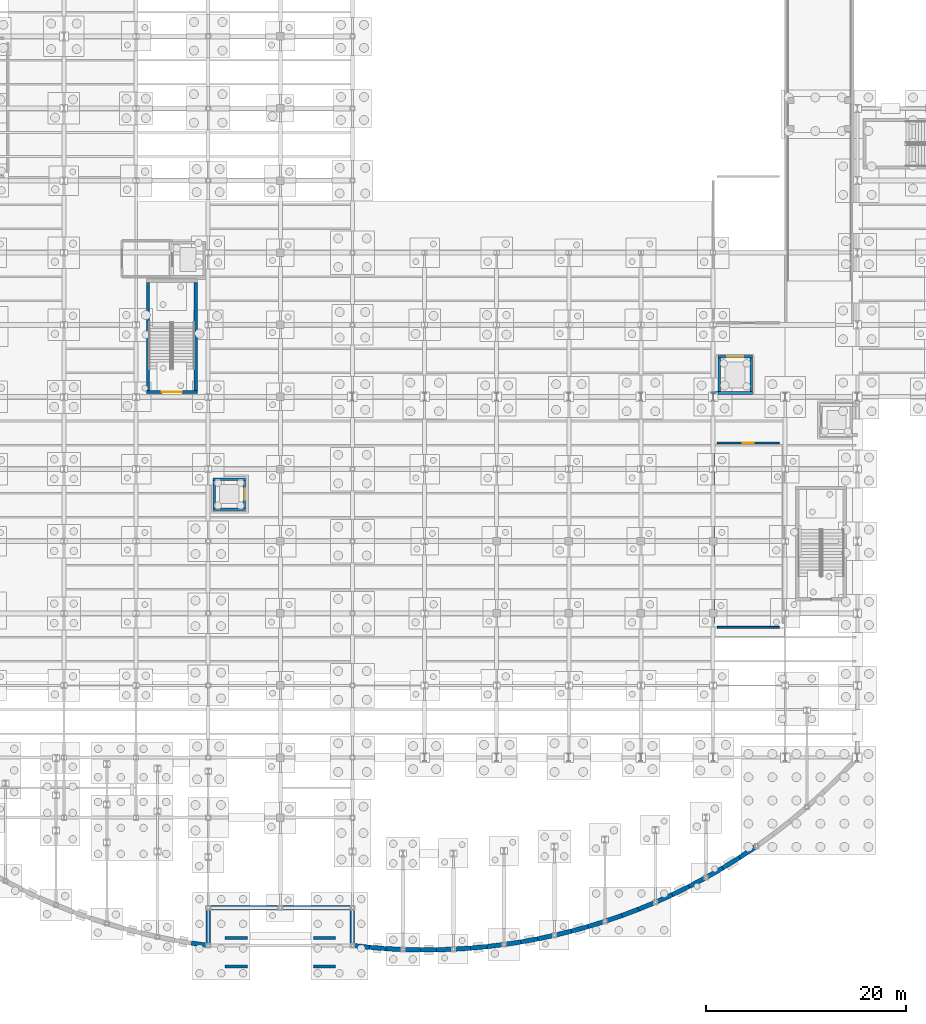
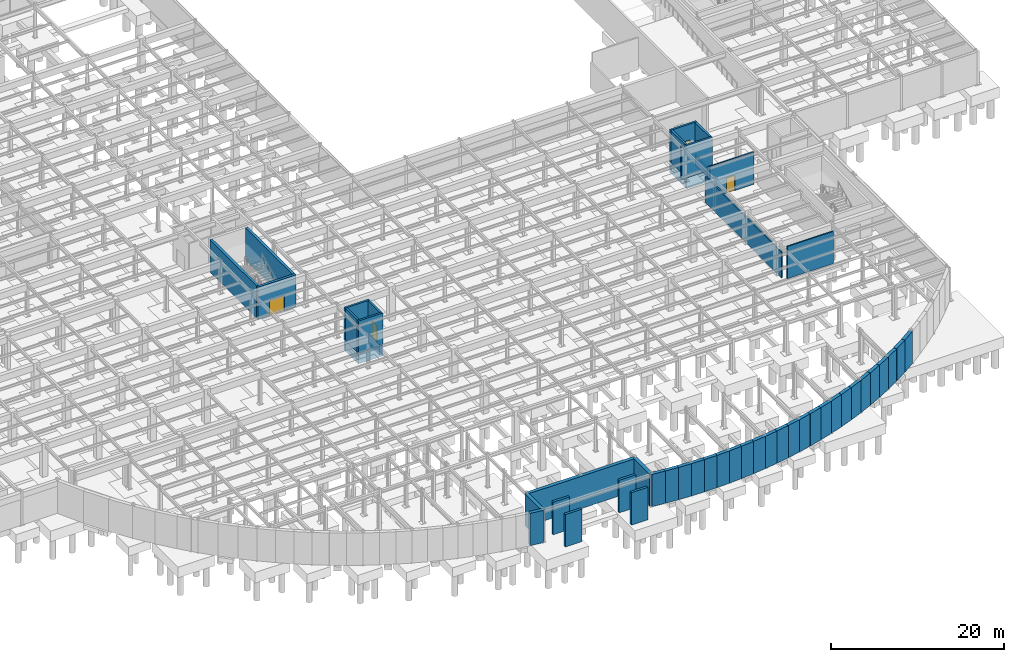
# One storey, part 46 of 64: 54 walls, 4 doors, 4 openings.
"""IFC4 building model written with IfcOpenShell, lengths in metres."""

from ifc_helpers import new_model, si_unit, direction, frame, frame_2d, origin, place, context, subcontext, project, spatial, rectangle, extrude, material, layer, layer_set, type_object, element, fill, save


model = new_model("IFC4")

# Units and contexts
model_context = context("Model", 3, precision=1e-05, world=origin(), true_north=direction((0.0, 1.0)))
body_context = subcontext(model_context, "Body", "Model", "MODEL_VIEW")
ifc_project = project(units=[si_unit("LENGTHUNIT", "METRE"), si_unit("AREAUNIT", "SQUARE_METRE"), si_unit("VOLUMEUNIT", "CUBIC_METRE"), si_unit("PLANEANGLEUNIT", "RADIAN"), si_unit("MASSUNIT", "GRAM", prefix="KILO")], contexts=[model_context])

# Site, building, storey
site_placement = place(None, origin())
site = spatial("IfcSite", under=ifc_project, at=site_placement, CompositionType="ELEMENT")
building_placement = place(site_placement, origin())
building = spatial("IfcBuilding", under=site, at=building_placement, Name="Solvadek Multi-Sports Hall", CompositionType="ELEMENT")
storey_placement = place(building_placement, frame((0.0, 0.0, -4.800048828125)))
storey = spatial("IfcBuildingStorey", under=building, at=storey_placement, Name="B1", CompositionType="ELEMENT", Elevation=-4.800048828125)

# Walls
ifc_material_1 = material(Name="Concrete M40", Category="concrete")
ifc_layer_1 = layer(ifc_material_1, 0.449951171875, Name="Concrete M40")
ifc_layer_set_1 = layer_set([ifc_layer_1], Name="Concrete M40")
wall_type_1 = type_object("IfcWallType", Name="ENV-WAL-RET450", PredefinedType="USERDEFINED", material=ifc_layer_set_1)
wall_1_placement = place(storey_placement, frame((70.31298828125, -12.517578125, 0.0), z_axis=(0.0, 0.0, 1.0), x_axis=(0.990408544796, -0.138169875135, 0.0)))
element("IfcWall", 1, at=wall_1_placement, inside=storey, type_object=wall_type_1, Name="B1 Basement Retaining Wall #28", ObjectType="RETAININGWALL", PredefinedType="USERDEFINED", context=body_context, shape_type="SweptSolid", body=[
    extrude(rectangle(XDim=1.703369140625, YDim=0.449951171875, at=frame_2d((0.8515625, 0.0))), origin(), (0.0, 0.0, 1.0), 4.550048828125),
])
wall_2_placement = place(storey_placement, frame((72.0, -12.7529296875, 0.0), z_axis=(0.0, 0.0, 1.0), x_axis=(0.0, 1.0, 0.0)))
element("IfcWall", 2, at=wall_2_placement, inside=storey, type_object=wall_type_1, Name="B1 Basement Retaining Wall #29", ObjectType="RETAININGWALL", PredefinedType="USERDEFINED", context=body_context, shape_type="SweptSolid", body=[
    extrude(rectangle(XDim=3.7529296875, YDim=0.449951171875, at=frame_2d((1.87646484375, 0.0))), origin(), (0.0, 0.0, 1.0), 4.550048828125),
])
wall_3_placement = place(storey_placement, frame((72.0, -9.0, 0.0), z_axis=(0.0, 0.0, 1.0), x_axis=(1.0, 0.0, 0.0)))
element("IfcWall", 3, at=wall_3_placement, inside=storey, type_object=wall_type_1, Name="B1 Basement Retaining Wall #30", ObjectType="RETAININGWALL", PredefinedType="USERDEFINED", context=body_context, shape_type="SweptSolid", body=[
    extrude(rectangle(XDim=14.39990234375, YDim=0.449951171875, at=frame_2d((7.199951171875, 0.0))), origin(), (0.0, 0.0, 1.0), 4.550048828125),
])
wall_4_placement = place(storey_placement, frame((86.39990234375, -9.0, 0.0), z_axis=(0.0, 0.0, 1.0), x_axis=(0.0, -1.0, 0.0)))
element("IfcWall", 4, at=wall_4_placement, inside=storey, type_object=wall_type_1, Name="B1 Basement Retaining Wall #31", ObjectType="RETAININGWALL", PredefinedType="USERDEFINED", context=body_context, shape_type="SweptSolid", body=[
    extrude(rectangle(XDim=3.7529296875, YDim=0.449951171875, at=frame_2d((1.87646484375, 0.0))), origin(), (0.0, 0.0, 1.0), 4.550048828125),
])
wall_5_placement = place(storey_placement, frame((86.39990234375, -12.7529296875, 0.0), z_axis=(0.0, 0.0, 1.0), x_axis=(0.994020357441, -0.109194912849, 0.0)))
element("IfcWall", 5, at=wall_5_placement, inside=storey, type_object=wall_type_1, Name="B1 Basement Retaining Wall #32", ObjectType="RETAININGWALL", PredefinedType="USERDEFINED", context=body_context, shape_type="SweptSolid", body=[
    extrude(rectangle(XDim=1.690185546875, YDim=0.449951171875, at=frame_2d((0.84521484375, 0.0))), origin(), (0.0, 0.0, 1.0), 4.550048828125),
])
wall_6_placement = place(storey_placement, frame((88.080078125, -12.9375, 0.0), z_axis=(0.0, 0.0, 1.0), x_axis=(0.996751400457, -0.080539714962, 0.0)))
element("IfcWall", 6, at=wall_6_placement, inside=storey, type_object=wall_type_1, Name="B1 Basement Retaining Wall #33", ObjectType="RETAININGWALL", PredefinedType="USERDEFINED", context=body_context, shape_type="SweptSolid", body=[
    extrude(rectangle(XDim=1.685302734375, YDim=0.449951171875, at=frame_2d((0.8427734375, 0.0))), origin(), (0.0, 0.0, 1.0), 4.550048828125),
])
wall_7_placement = place(storey_placement, frame((89.760009765625, -13.0732421875, 0.0), z_axis=(0.0, 0.0, 1.0), x_axis=(0.998671817694, -0.051522815765, 0.0)))
element("IfcWall", 7, at=wall_7_placement, inside=storey, type_object=wall_type_1, Name="B1 Basement Retaining Wall #34", ObjectType="RETAININGWALL", PredefinedType="USERDEFINED", context=body_context, shape_type="SweptSolid", body=[
    extrude(rectangle(XDim=1.68212890625, YDim=0.449951171875, at=frame_2d((0.841064453125, 0.0))), origin(), (0.0, 0.0, 1.0), 4.550048828125),
])
wall_8_placement = place(storey_placement, frame((91.43994140625, -13.159912109375, 0.0), z_axis=(0.0, 0.0, 1.0), x_axis=(0.999743183727, -0.022662007652, 0.0)))
element("IfcWall", 8, at=wall_8_placement, inside=storey, type_object=wall_type_1, Name="B1 Basement Retaining Wall #35", ObjectType="RETAININGWALL", PredefinedType="USERDEFINED", context=body_context, shape_type="SweptSolid", body=[
    extrude(rectangle(XDim=1.6806640625, YDim=0.449951171875, at=frame_2d((0.84033203125, 0.0))), origin(), (0.0, 0.0, 1.0), 4.550048828125),
])
wall_9_placement = place(storey_placement, frame((93.1201171875, -13.197998046875, 0.0), z_axis=(0.0, 0.0, 1.0), x_axis=(0.999980474998, 0.006248969688, 0.0)))
element("IfcWall", 9, at=wall_9_placement, inside=storey, type_object=wall_type_1, Name="B1 Basement Retaining Wall #36", ObjectType="RETAININGWALL", PredefinedType="USERDEFINED", context=body_context, shape_type="SweptSolid", body=[
    extrude(rectangle(XDim=1.679931640625, YDim=0.449951171875, at=frame_2d((0.83984375, 0.0))), origin(), (0.0, 0.0, 1.0), 4.550048828125),
])
wall_10_placement = place(storey_placement, frame((94.800048828125, -13.1875, 0.0), z_axis=(0.0, 0.0, 1.0), x_axis=(0.999387224147, 0.035002517224, 0.0)))
element("IfcWall", 10, at=wall_10_placement, inside=storey, type_object=wall_type_1, Name="B1 Basement Retaining Wall #37", ObjectType="RETAININGWALL", PredefinedType="USERDEFINED", context=body_context, shape_type="SweptSolid", body=[
    extrude(rectangle(XDim=1.680908203125, YDim=0.449951171875, at=frame_2d((0.84033203125, 0.0))), origin(), (0.0, 0.0, 1.0), 4.550048828125),
])
wall_11_placement = place(storey_placement, frame((96.47998046875, -13.128662109375, 0.0), z_axis=(0.0, 0.0, 1.0), x_axis=(0.997952571746, 0.063958303174, 0.0)))
element("IfcWall", 11, at=wall_11_placement, inside=storey, type_object=wall_type_1, Name="B1 Basement Retaining Wall #38", ObjectType="RETAININGWALL", PredefinedType="USERDEFINED", context=body_context, shape_type="SweptSolid", body=[
    extrude(rectangle(XDim=1.683349609375, YDim=0.449951171875, at=frame_2d((0.841796875, 0.0))), origin(), (0.0, 0.0, 1.0), 4.550048828125),
])
wall_12_placement = place(storey_placement, frame((98.159912109375, -13.02099609375, 0.0), z_axis=(0.0, 0.0, 1.0), x_axis=(0.995690348422, 0.09274012109, 0.0)))
element("IfcWall", 12, at=wall_12_placement, inside=storey, type_object=wall_type_1, Name="B1 Basement Retaining Wall #39", ObjectType="RETAININGWALL", PredefinedType="USERDEFINED", context=body_context, shape_type="SweptSolid", body=[
    extrude(rectangle(XDim=1.6875, YDim=0.449951171875, at=frame_2d((0.84375, 0.0))), origin(), (0.0, 0.0, 1.0), 4.550048828125),
])
wall_13_placement = place(storey_placement, frame((99.840087890625, -12.864501953125, 0.0), z_axis=(0.0, 0.0, 1.0), x_axis=(0.992578928721, 0.121602098083, 0.0)))
element("IfcWall", 13, at=wall_13_placement, inside=storey, type_object=wall_type_1, Name="B1 Basement Retaining Wall #40", ObjectType="RETAININGWALL", PredefinedType="USERDEFINED", context=body_context, shape_type="SweptSolid", body=[
    extrude(rectangle(XDim=1.6923828125, YDim=0.449951171875, at=frame_2d((0.84619140625, 0.0))), origin(), (0.0, 0.0, 1.0), 4.550048828125),
])
wall_14_placement = place(storey_placement, frame((101.52001953125, -12.65869140625, 0.0), z_axis=(0.0, 0.0, 1.0), x_axis=(0.988599783892, 0.150567152088, 0.0)))
element("IfcWall", 14, at=wall_14_placement, inside=storey, type_object=wall_type_1, Name="B1 Basement Retaining Wall #41", ObjectType="RETAININGWALL", PredefinedType="USERDEFINED", context=body_context, shape_type="SweptSolid", body=[
    extrude(rectangle(XDim=1.69921875, YDim=0.449951171875, at=frame_2d((0.849609375, 0.0))), origin(), (0.0, 0.0, 1.0), 4.550048828125),
])
wall_15_placement = place(storey_placement, frame((103.199951171875, -12.40283203125, 0.0), z_axis=(0.0, 0.0, 1.0), x_axis=(0.98377139852, 0.179426406793, 0.0)))
element("IfcWall", 15, at=wall_15_placement, inside=storey, type_object=wall_type_1, Name="B1 Basement Retaining Wall #42", ObjectType="RETAININGWALL", PredefinedType="USERDEFINED", context=body_context, shape_type="SweptSolid", body=[
    extrude(rectangle(XDim=1.707763671875, YDim=0.449951171875, at=frame_2d((0.85400390625, 0.0))), origin(), (0.0, 0.0, 1.0), 4.550048828125),
])
wall_16_placement = place(storey_placement, frame((104.8798828125, -12.096435546875, 0.0), z_axis=(0.0, 0.0, 1.0), x_axis=(0.978084380765, 0.208208895353, 0.0)))
element("IfcWall", 16, at=wall_16_placement, inside=storey, type_object=wall_type_1, Name="B1 Basement Retaining Wall #43", ObjectType="RETAININGWALL", PredefinedType="USERDEFINED", context=body_context, shape_type="SweptSolid", body=[
    extrude(rectangle(XDim=1.7177734375, YDim=0.449951171875, at=frame_2d((0.85888671875, 0.0))), origin(), (0.0, 0.0, 1.0), 4.550048828125),
])
wall_17_placement = place(storey_placement, frame((106.56005859375, -11.73876953125, 0.0), z_axis=(0.0, 0.0, 1.0), x_axis=(0.971464822794, 0.237183680031, 0.0)))
element("IfcWall", 17, at=wall_17_placement, inside=storey, type_object=wall_type_1, Name="B1 Basement Retaining Wall #44", ObjectType="RETAININGWALL", PredefinedType="USERDEFINED", context=body_context, shape_type="SweptSolid", body=[
    extrude(rectangle(XDim=1.729248046875, YDim=0.449951171875, at=frame_2d((0.86474609375, 0.0))), origin(), (0.0, 0.0, 1.0), 4.550048828125),
])
wall_18_placement = place(storey_placement, frame((108.239990234375, -11.32861328125, 0.0), z_axis=(0.0, 0.0, 1.0), x_axis=(0.963964130147, 0.266032245771, 0.0)))
element("IfcWall", 18, at=wall_18_placement, inside=storey, type_object=wall_type_1, Name="B1 Basement Retaining Wall #45", ObjectType="RETAININGWALL", PredefinedType="USERDEFINED", context=body_context, shape_type="SweptSolid", body=[
    extrude(rectangle(XDim=1.74267578125, YDim=0.449951171875, at=frame_2d((0.871337890625, 0.0))), origin(), (0.0, 0.0, 1.0), 4.550048828125),
])
wall_19_placement = place(storey_placement, frame((109.919921875, -10.864990234375, 0.0), z_axis=(0.0, 0.0, 1.0), x_axis=(0.955526486074, 0.294905297359, 0.0)))
element("IfcWall", 19, at=wall_19_placement, inside=storey, type_object=wall_type_1, Name="B1 Basement Retaining Wall #46", ObjectType="RETAININGWALL", PredefinedType="USERDEFINED", context=body_context, shape_type="SweptSolid", body=[
    extrude(rectangle(XDim=1.75830078125, YDim=0.449951171875, at=frame_2d((0.879150390625, 0.0))), origin(), (0.0, 0.0, 1.0), 4.550048828125),
])
wall_20_placement = place(storey_placement, frame((111.60009765625, -10.346435546875, 0.0), z_axis=(0.0, 0.0, 1.0), x_axis=(0.946165093164, 0.323684439661, 0.0)))
element("IfcWall", 20, at=wall_20_placement, inside=storey, type_object=wall_type_1, Name="B1 Basement Retaining Wall #47", ObjectType="RETAININGWALL", PredefinedType="USERDEFINED", context=body_context, shape_type="SweptSolid", body=[
    extrude(rectangle(XDim=1.775634765625, YDim=0.449951171875, at=frame_2d((0.8876953125, 0.0))), origin(), (0.0, 0.0, 1.0), 4.550048828125),
])
wall_21_placement = place(storey_placement, frame((113.280029296875, -9.771728515625, 0.0), z_axis=(0.0, 0.0, 1.0), x_axis=(0.935763506188, 0.352628218507, 0.0)))
element("IfcWall", 21, at=wall_21_placement, inside=storey, type_object=wall_type_1, Name="B1 Basement Retaining Wall #48", ObjectType="RETAININGWALL", PredefinedType="USERDEFINED", context=body_context, shape_type="SweptSolid", body=[
    extrude(rectangle(XDim=1.795166015625, YDim=0.449951171875, at=frame_2d((0.8974609375, 0.0))), origin(), (0.0, 0.0, 1.0), 4.550048828125),
])
wall_22_placement = place(storey_placement, frame((114.9599609375, -9.138671875, 0.0), z_axis=(0.0, 0.0, 1.0), x_axis=(0.924363406129, 0.381513162826, 0.0)))
element("IfcWall", 22, at=wall_22_placement, inside=storey, type_object=wall_type_1, Name="B1 Basement Retaining Wall #49", ObjectType="RETAININGWALL", PredefinedType="USERDEFINED", context=body_context, shape_type="SweptSolid", body=[
    extrude(rectangle(XDim=1.8173828125, YDim=0.449951171875, at=frame_2d((0.90869140625, 0.0))), origin(), (0.0, 0.0, 1.0), 4.550048828125),
])
wall_23_placement = place(storey_placement, frame((116.639892578125, -8.4453125, 0.0), z_axis=(0.0, 0.0, 1.0), x_axis=(0.911916546408, 0.410375696633, 0.0)))
element("IfcWall", 23, at=wall_23_placement, inside=storey, type_object=wall_type_1, Name="B1 Basement Retaining Wall #50", ObjectType="RETAININGWALL", PredefinedType="USERDEFINED", context=body_context, shape_type="SweptSolid", body=[
    extrude(rectangle(XDim=1.842529296875, YDim=0.449951171875, at=frame_2d((0.92138671875, 0.0))), origin(), (0.0, 0.0, 1.0), 4.550048828125),
])
wall_24_placement = place(storey_placement, frame((118.320068359375, -7.689208984375, 0.0), z_axis=(0.0, 0.0, 1.0), x_axis=(0.898386650529, 0.439205448682, 0.0)))
element("IfcWall", 24, at=wall_24_placement, inside=storey, type_object=wall_type_1, Name="B1 Basement Retaining Wall #51", ObjectType="RETAININGWALL", PredefinedType="USERDEFINED", context=body_context, shape_type="SweptSolid", body=[
    extrude(rectangle(XDim=1.869873046875, YDim=0.449951171875, at=frame_2d((0.93505859375, 0.0))), origin(), (0.0, 0.0, 1.0), 4.550048828125),
])
wall_25_placement = place(storey_placement, frame((120.0, -6.867919921875, 0.0), z_axis=(0.0, 0.0, 1.0), x_axis=(0.883675434333, 0.468100124712, 0.0)))
element("IfcWall", 25, at=wall_25_placement, inside=storey, type_object=wall_type_1, Name="B1 Basement Retaining Wall #52", ObjectType="RETAININGWALL", PredefinedType="USERDEFINED", context=body_context, shape_type="SweptSolid", body=[
    extrude(rectangle(XDim=1.901123046875, YDim=0.449951171875, at=frame_2d((0.95068359375, 0.0))), origin(), (0.0, 0.0, 1.0), 4.550048828125),
])
wall_26_placement = place(storey_placement, frame((121.679931640625, -5.97802734375, 0.0), z_axis=(0.0, 0.0, 1.0), x_axis=(0.867784951066, 0.496939914581, 0.0)))
element("IfcWall", 26, at=wall_26_placement, inside=storey, type_object=wall_type_1, Name="B1 Basement Retaining Wall #53", ObjectType="RETAININGWALL", PredefinedType="USERDEFINED", context=body_context, shape_type="SweptSolid", body=[
    extrude(rectangle(XDim=1.936279296875, YDim=0.449951171875, at=frame_2d((0.96826171875, 0.0))), origin(), (0.0, 0.0, 1.0), 4.550048828125),
])
wall_27_placement = place(storey_placement, frame((123.360107421875, -5.015869140625, 0.0), z_axis=(0.0, 0.0, 1.0), x_axis=(0.850578485611, 0.525848114778, 0.0)))
element("IfcWall", 27, at=wall_27_placement, inside=storey, type_object=wall_type_1, Name="B1 Basement Retaining Wall #54", ObjectType="RETAININGWALL", PredefinedType="USERDEFINED", context=body_context, shape_type="SweptSolid", body=[
    extrude(rectangle(XDim=1.97509765625, YDim=0.449951171875, at=frame_2d((0.987548828125, 0.0))), origin(), (0.0, 0.0, 1.0), 4.550048828125),
])
wall_28_placement = place(storey_placement, frame((125.0400390625, -3.977294921875, 0.0), z_axis=(0.0, 0.0, 1.0), x_axis=(0.832013087986, 0.554756001698, 0.0)))
element("IfcWall", 28, at=wall_28_placement, inside=storey, type_object=wall_type_1, Name="B1 Basement Retaining Wall #55", ObjectType="RETAININGWALL", PredefinedType="USERDEFINED", context=body_context, shape_type="SweptSolid", body=[
    extrude(rectangle(XDim=2.01904296875, YDim=0.449951171875, at=frame_2d((1.009521484375, 0.0))), origin(), (0.0, 0.0, 1.0), 4.550048828125),
])
ifc_material_2 = material(Name="Autoclaved aerated concrete blockwork", Category="masonry")
ifc_layer_2 = layer(ifc_material_2, 0.179931640625, Name="Autoclaved aerated concrete blockwork")
ifc_layer_set_2 = layer_set([ifc_layer_2], Name="Autoclaved aerated concrete blockwork")
wall_type_2 = type_object("IfcWallType", Name="INT-WAL-PRT180", PredefinedType="PARTITIONING", material=ifc_layer_set_2)
wall_29_placement = place(storey_placement, frame((122.824951171875, 19.0, 0.0), z_axis=(0.0, 0.0, 1.0), x_axis=(1.0, 0.0, 0.0)))
element("IfcWall", 29, at=wall_29_placement, inside=storey, type_object=wall_type_2, Name="B1 Partition Wall B1-05 S", PredefinedType="PARTITIONING", context=body_context, shape_type="SweptSolid", body=[
    extrude(rectangle(XDim=6.155029296875, YDim=0.179931640625, at=frame_2d((3.07763671875, 0.0))), origin(), (0.0, 0.0, 1.0), 4.53515625),
])

# Wall, opening, door
wall_30_placement = place(storey_placement, frame((122.824951171875, 37.39990234375, 0.0), z_axis=(0.0, 0.0, 1.0), x_axis=(1.0, 0.0, 0.0)))
wall_30 = element("IfcWall", 30, at=wall_30_placement, inside=storey, type_object=wall_type_2, Name="B1 Partition Wall B1-05 N", PredefinedType="PARTITIONING", context=body_context, shape_type="SweptSolid", body=[
    extrude(rectangle(XDim=6.155029296875, YDim=0.179931640625, at=frame_2d((3.07763671875, 0.0))), origin(), (0.0, 0.0, 1.0), 4.53515625),
])
opening_1_placement = place(wall_30_placement, frame((2.527587890625, 0.0, 0.0)))
opening_1 = element("IfcOpeningElement", 31, at=opening_1_placement, cuts=wall_30, Name="Opening FD60", PredefinedType="OPENING", context=body_context, shape_type="SweptSolid", body=[
    extrude(rectangle(XDim=1.10009765625, YDim=2.14990234375, at=frame_2d((0.550048828125, 1.074951171875))), frame((0.0, 0.099853515625, 0.0), z_axis=(0.0, -1.0, 0.0), x_axis=(1.0, 0.0, 0.0)), (0.0, 0.0, 1.0), 0.199951171875),
])
ifc_material_3 = material(Name="Steel E250 (250 MPa)", Category="steel")
door_type_1 = type_object("IfcDoorType", Name="INT-DOR-FD110X215", OperationType="NOTDEFINED", PredefinedType="DOOR", material=ifc_material_3)
door_1_placement = place(opening_1_placement, frame((1.10009765625, 0.0, 0.0), z_axis=(0.0, 0.0, 1.0), x_axis=(-1.0, 0.0, 0.0)))
door_1 = element("IfcDoor", 32, at=door_1_placement, inside=storey, type_object=door_type_1, Name="B1 B1-05 Door #20", OperationType="SINGLE_SWING_LEFT", OverallHeight=2.14990234375, OverallWidth=1.10009765625, PredefinedType="DOOR", context=body_context, shape_type="SweptSolid", body=[
    extrude(rectangle(XDim=1.10009765625, YDim=2.14990234375, at=frame_2d((0.550048828125, 1.074951171875))), frame((0.0, 0.02490234375, 0.0), z_axis=(0.0, -1.0, 0.0), x_axis=(1.0, 0.0, 0.0)), (0.0, 0.0, 1.0), 0.050048828125),
])
fill(opening_1, door_1)

# Walls
wall_31_placement = place(storey_placement, frame((122.405029296875, 19.419921875, 0.0), z_axis=(0.0, 0.0, 1.0), x_axis=(0.0, 1.0, 0.0)))
element("IfcWall", 33, at=wall_31_placement, inside=storey, type_object=wall_type_2, Name="B1 Partition Wall B1-05 W", PredefinedType="PARTITIONING", context=body_context, shape_type="SweptSolid", body=[
    extrude(rectangle(XDim=17.56005859375, YDim=0.179931640625, at=frame_2d((8.780029296875, 0.0))), origin(), (0.0, 0.0, 1.0), 3.630126953125),
])
ifc_layer_3 = layer(ifc_material_1, 0.260009765625, Name="Concrete M40")
ifc_layer_set_3 = layer_set([ifc_layer_3], Name="Concrete M40")
wall_type_3 = type_object("IfcWallType", Name="INT-WAL-SHR260", PredefinedType="SHEAR", material=ifc_layer_set_3)
for number, where, z_axis, x_axis, name in (
    (34, (72.469970703125, 30.800048828125, -1.5), (0.0, 0.0, 1.0), (1.0, 0.0, 0.0), "Lift LP-02 Shaft Shear Wall pit south"),
    (35, (72.469970703125, 33.800048828125, -1.5), (0.0, 0.0, 1.0), (1.0, 0.0, 0.0), "Lift LP-02 Shaft Shear Wall pit north"),
):
    element("IfcWall", number, at=place(storey_placement, frame(where, z_axis=z_axis, x_axis=x_axis)), inside=storey, type_object=wall_type_3, Name=name, PredefinedType="SHEAR", context=body_context, shape_type="SweptSolid", body=[
        extrude(rectangle(XDim=3.260009765625, YDim=0.260009765625, at=frame_2d((1.6298828125, 0.0))), origin(), (0.0, 0.0, 1.0), 1.5),
    ])
for number, where, z_axis, x_axis, name in (
    (36, (72.60009765625, 30.929931640625, -1.5), (0.0, 0.0, 1.0), (0.0, 1.0, 0.0), "Lift LP-02 Shaft Shear Wall pit west"),
    (37, (75.60009765625, 30.929931640625, -1.5), (0.0, 0.0, 1.0), (0.0, 1.0, 0.0), "Lift LP-02 Shaft Shear Wall pit east"),
):
    element("IfcWall", number, at=place(storey_placement, frame(where, z_axis=z_axis, x_axis=x_axis)), inside=storey, type_object=wall_type_3, Name=name, PredefinedType="SHEAR", context=body_context, shape_type="SweptSolid", body=[
        extrude(rectangle(XDim=2.739990234375, YDim=0.260009765625, at=frame_2d((1.3701171875, 0.0))), origin(), (0.0, 0.0, 1.0), 1.5),
    ])
for number, where, z_axis, x_axis, name in (
    (38, (72.469970703125, 30.800048828125, 0.0), (0.0, 0.0, 1.0), (1.0, 0.0, 0.0), "Lift LP-02 Shaft Shear Wall B1 south"),
    (39, (72.469970703125, 33.800048828125, 0.0), (0.0, 0.0, 1.0), (1.0, 0.0, 0.0), "Lift LP-02 Shaft Shear Wall B1 north"),
):
    element("IfcWall", number, at=place(storey_placement, frame(where, z_axis=z_axis, x_axis=x_axis)), inside=storey, type_object=wall_type_3, Name=name, PredefinedType="SHEAR", context=body_context, shape_type="SweptSolid", body=[
        extrude(rectangle(XDim=3.260009765625, YDim=0.260009765625, at=frame_2d((1.6298828125, 0.0))), origin(), (0.0, 0.0, 1.0), 4.550048828125),
    ])
wall_32_placement = place(storey_placement, frame((72.60009765625, 30.929931640625, 0.0), z_axis=(0.0, 0.0, 1.0), x_axis=(0.0, 1.0, 0.0)))
element("IfcWall", 40, at=wall_32_placement, inside=storey, type_object=wall_type_3, Name="Lift LP-02 Shaft Shear Wall B1 west", PredefinedType="SHEAR", context=body_context, shape_type="SweptSolid", body=[
    extrude(rectangle(XDim=2.739990234375, YDim=0.260009765625, at=frame_2d((1.3701171875, 0.0))), origin(), (0.0, 0.0, 1.0), 4.550048828125),
])

# Wall, opening, door
wall_33_placement = place(storey_placement, frame((75.60009765625, 30.929931640625, 0.0), z_axis=(0.0, 0.0, 1.0), x_axis=(0.0, 1.0, 0.0)))
wall_33 = element("IfcWall", 41, at=wall_33_placement, inside=storey, type_object=wall_type_3, Name="Lift LP-02 Shaft Shear Wall B1 east", PredefinedType="SHEAR", context=body_context, shape_type="SweptSolid", body=[
    extrude(rectangle(XDim=2.739990234375, YDim=0.260009765625, at=frame_2d((1.3701171875, 0.0))), origin(), (0.0, 0.0, 1.0), 4.550048828125),
])
opening_2_placement = place(wall_33_placement, frame((0.820068359375, 0.0, 0.0)))
opening_2 = element("IfcOpeningElement", 42, at=opening_2_placement, cuts=wall_33, Name="Opening LD-16", PredefinedType="OPENING", context=body_context, shape_type="SweptSolid", body=[
    extrude(rectangle(XDim=1.10009765625, YDim=2.14990234375, at=frame_2d((0.550048828125, 1.074951171875))), frame((0.0, 0.139892578125, 0.0), z_axis=(0.0, -1.0, 0.0), x_axis=(1.0, 0.0, 0.0)), (0.0, 0.0, 1.0), 0.280029296875),
])
ifc_material_4 = material(Name="Anodised aluminium", Category="aluminium")
door_type_2 = type_object("IfcDoorType", Name="INT-DOR-LD110X215", OperationType="DOUBLE_DOOR_SLIDING", PredefinedType="DOOR", material=ifc_material_4)
door_2_placement = place(opening_2_placement, origin())
door_2 = element("IfcDoor", 43, at=door_2_placement, inside=storey, type_object=door_type_2, Name="B1 Lift LP-02 Sliding Landing Door LD-16", OperationType="DOUBLE_DOOR_SLIDING", OverallHeight=2.14990234375, OverallWidth=1.10009765625, PredefinedType="DOOR", context=body_context, shape_type="SweptSolid", body=[
    extrude(rectangle(XDim=1.10009765625, YDim=2.14990234375, at=frame_2d((0.550048828125, 1.074951171875))), frame((0.0, 0.02490234375, 0.0), z_axis=(0.0, -1.0, 0.0), x_axis=(1.0, 0.0, 0.0)), (0.0, 0.0, 1.0), 0.050048828125),
])
fill(opening_2, door_2)

# Walls
for number, where, z_axis, x_axis, name in (
    (44, (122.8701171875, 42.39990234375, -1.5), (0.0, 0.0, 1.0), (1.0, 0.0, 0.0), "Lift LG-01 Shaft Shear Wall pit south"),
    (45, (122.8701171875, 46.0, -1.5), (0.0, 0.0, 1.0), (1.0, 0.0, 0.0), "Lift LG-01 Shaft Shear Wall pit north"),
):
    element("IfcWall", number, at=place(storey_placement, frame(where, z_axis=z_axis, x_axis=x_axis)), inside=storey, type_object=wall_type_3, Name=name, PredefinedType="SHEAR", context=body_context, shape_type="SweptSolid", body=[
        extrude(rectangle(XDim=3.4599609375, YDim=0.260009765625, at=frame_2d((1.72998046875, 0.0))), origin(), (0.0, 0.0, 1.0), 1.5),
    ])
for number, where, z_axis, x_axis, name in (
    (46, (123.0, 42.530029296875, -1.5), (0.0, 0.0, 1.0), (0.0, 1.0, 0.0), "Lift LG-01 Shaft Shear Wall pit west"),
    (47, (126.199951171875, 42.530029296875, -1.5), (0.0, 0.0, 1.0), (0.0, 1.0, 0.0), "Lift LG-01 Shaft Shear Wall pit east"),
):
    element("IfcWall", number, at=place(storey_placement, frame(where, z_axis=z_axis, x_axis=x_axis)), inside=storey, type_object=wall_type_3, Name=name, PredefinedType="SHEAR", context=body_context, shape_type="SweptSolid", body=[
        extrude(rectangle(XDim=3.340087890625, YDim=0.260009765625, at=frame_2d((1.669921875, 0.0))), origin(), (0.0, 0.0, 1.0), 1.5),
    ])
wall_34_placement = place(storey_placement, frame((122.25, 42.39990234375, 0.0), z_axis=(0.0, 0.0, 1.0), x_axis=(1.0, 0.0, 0.0)))
element("IfcWall", 48, at=wall_34_placement, inside=storey, type_object=wall_type_3, Name="Lift LG-01 Shaft Shear Wall B1 south", PredefinedType="SHEAR", context=body_context, shape_type="SweptSolid", body=[
    extrude(rectangle(XDim=4.080078125, YDim=0.260009765625, at=frame_2d((2.0400390625, 0.0))), origin(), (0.0, 0.0, 1.0), 4.550048828125),
])

# Wall, opening, door
wall_35_placement = place(storey_placement, frame((122.8701171875, 46.0, 0.0), z_axis=(0.0, 0.0, 1.0), x_axis=(1.0, 0.0, 0.0)))
wall_35 = element("IfcWall", 49, at=wall_35_placement, inside=storey, type_object=wall_type_3, Name="Lift LG-01 Shaft Shear Wall B1 north", PredefinedType="SHEAR", context=body_context, shape_type="SweptSolid", body=[
    extrude(rectangle(XDim=3.4599609375, YDim=0.260009765625, at=frame_2d((1.72998046875, 0.0))), origin(), (0.0, 0.0, 1.0), 4.550048828125),
])
opening_3_placement = place(wall_35_placement, frame((0.929931640625, 0.0, 0.0)))
opening_3 = element("IfcOpeningElement", 50, at=opening_3_placement, cuts=wall_35, Name="Opening LD-24", PredefinedType="OPENING", context=body_context, shape_type="SweptSolid", body=[
    extrude(rectangle(XDim=1.60009765625, YDim=2.300048828125, at=frame_2d((0.800048828125, 1.14990234375))), frame((0.0, 0.139892578125, 0.0), z_axis=(0.0, -1.0, 0.0), x_axis=(1.0, 0.0, 0.0)), (0.0, 0.0, 1.0), 0.280029296875),
])
door_type_3 = type_object("IfcDoorType", Name="INT-DOR-LD160X230", OperationType="DOUBLE_DOOR_SLIDING", PredefinedType="DOOR", material=ifc_material_3)
door_3_placement = place(opening_3_placement, origin())
door_3 = element("IfcDoor", 51, at=door_3_placement, inside=storey, type_object=door_type_3, Name="B1 Lift LG-01 Sliding Landing Door LD-24", OperationType="DOUBLE_DOOR_SLIDING", OverallHeight=2.300048828125, OverallWidth=1.60009765625, PredefinedType="DOOR", context=body_context, shape_type="SweptSolid", body=[
    extrude(rectangle(XDim=1.60009765625, YDim=2.300048828125, at=frame_2d((0.800048828125, 1.14990234375))), frame((0.0, 0.02490234375, 0.0), z_axis=(0.0, -1.0, 0.0), x_axis=(1.0, 0.0, 0.0)), (0.0, 0.0, 1.0), 0.050048828125),
])
fill(opening_3, door_3)

# Walls
for number, where, z_axis, x_axis, name in (
    (52, (123.0, 42.530029296875, 0.0), (0.0, 0.0, 1.0), (0.0, 1.0, 0.0), "Lift LG-01 Shaft Shear Wall B1 west"),
    (53, (126.199951171875, 42.530029296875, 0.0), (0.0, 0.0, 1.0), (0.0, 1.0, 0.0), "Lift LG-01 Shaft Shear Wall B1 east"),
):
    element("IfcWall", number, at=place(storey_placement, frame(where, z_axis=z_axis, x_axis=x_axis)), inside=storey, type_object=wall_type_3, Name=name, PredefinedType="SHEAR", context=body_context, shape_type="SweptSolid", body=[
        extrude(rectangle(XDim=3.340087890625, YDim=0.260009765625, at=frame_2d((1.669921875, 0.0))), origin(), (0.0, 0.0, 1.0), 4.550048828125),
    ])

# Wall, opening, door
ifc_layer_4 = layer(ifc_material_1, 0.320068359375, Name="Concrete M40")
ifc_layer_set_4 = layer_set([ifc_layer_4], Name="Concrete M40")
wall_type_4 = type_object("IfcWallType", Name="INT-WAL-SHR320", PredefinedType="SHEAR", material=ifc_layer_set_4)
wall_36_placement = place(storey_placement, frame((65.840087890625, 42.5, 0.0), z_axis=(0.0, 0.0, 1.0), x_axis=(1.0, 0.0, 0.0)))
wall_36 = element("IfcWall", 54, at=wall_36_placement, inside=storey, type_object=wall_type_4, Name="B1 Stair ST-04 Shear Wall S", PredefinedType="SHEAR", context=body_context, shape_type="SweptSolid", body=[
    extrude(rectangle(XDim=5.06982421875, YDim=0.320068359375, at=frame_2d((2.534912109375, 0.0))), origin(), (0.0, 0.0, 1.0), 4.550048828125),
])
opening_4_placement = place(wall_36_placement, frame((1.534912109375, 0.0, 0.0)))
opening_4 = element("IfcOpeningElement", 55, at=opening_4_placement, cuts=wall_36, Name="Opening FD120", PredefinedType="OPENING", context=body_context, shape_type="SweptSolid", body=[
    extrude(rectangle(XDim=2.0, YDim=2.14990234375, at=frame_2d((1.0, 1.074951171875))), frame((0.0, 0.169921875, 0.0), z_axis=(0.0, -1.0, 0.0), x_axis=(1.0, 0.0, 0.0)), (0.0, 0.0, 1.0), 0.340087890625),
])
door_type_4 = type_object("IfcDoorType", Name="INT-DOR-FD200X215", OperationType="DOUBLE_DOOR_SINGLE_SWING", PredefinedType="DOOR", material=ifc_material_3)
door_4_placement = place(opening_4_placement, origin())
door_4 = element("IfcDoor", 56, at=door_4_placement, inside=storey, type_object=door_type_4, Name="B1 Stair ST-04 Fire Door", OperationType="DOUBLE_DOOR_SINGLE_SWING", OverallHeight=2.14990234375, OverallWidth=2.0, PredefinedType="DOOR", context=body_context, shape_type="SweptSolid", body=[
    extrude(rectangle(XDim=2.0, YDim=2.14990234375, at=frame_2d((1.0, 1.074951171875))), frame((0.0, 0.02490234375, 0.0), z_axis=(0.0, -1.0, 0.0), x_axis=(1.0, 0.0, 0.0)), (0.0, 0.0, 1.0), 0.050048828125),
])
fill(opening_4, door_4)

# Walls
for number, where, z_axis, x_axis, name in (
    (57, (66.0, 42.659912109375, 0.0), (0.0, 0.0, 1.0), (0.0, 1.0, 0.0), "B1 Stair ST-04 Shear Wall W"),
    (58, (70.75, 42.659912109375, 0.0), (0.0, 0.0, 1.0), (0.0, 1.0, 0.0), "B1 Stair ST-04 Shear Wall E"),
):
    element("IfcWall", number, at=place(storey_placement, frame(where, z_axis=z_axis, x_axis=x_axis)), inside=storey, type_object=wall_type_4, Name=name, PredefinedType="SHEAR", context=body_context, shape_type="SweptSolid", body=[
        extrude(rectangle(XDim=10.780029296875, YDim=0.320068359375, at=frame_2d((5.39013671875, 0.0))), origin(), (0.0, 0.0, 1.0), 4.550048828125),
    ])
for number, where, z_axis, x_axis, name in (
    (59, (73.699951171875, -14.85009765625, 0.0), (0.0, 0.0, 1.0), (1.0, 0.0, 0.0), "B1 Accessible Ramp Toe Bearing Wall AR-01"),
    (60, (73.699951171875, -12.0, 0.0), (0.0, 0.0, 1.0), (1.0, 0.0, 0.0), "B1 Accessible Ramp Head Bearing Wall AR-01"),
    (61, (82.5, -14.85009765625, 0.0), (0.0, 0.0, 1.0), (1.0, 0.0, 0.0), "B1 Accessible Ramp Toe Bearing Wall AR-02"),
    (62, (82.5, -12.0, 0.0), (0.0, 0.0, 1.0), (1.0, 0.0, 0.0), "B1 Accessible Ramp Head Bearing Wall AR-02"),
):
    element("IfcWall", number, at=place(storey_placement, frame(where, z_axis=z_axis, x_axis=x_axis)), inside=storey, type_object=wall_type_4, Name=name, PredefinedType="SHEAR", context=body_context, shape_type="SweptSolid", body=[
        extrude(rectangle(XDim=2.199951171875, YDim=0.320068359375, at=frame_2d((1.10009765625, 0.0))), origin(), (0.0, 0.0, 1.0), 4.580078125),
    ])

save(model, "model.ifc")
